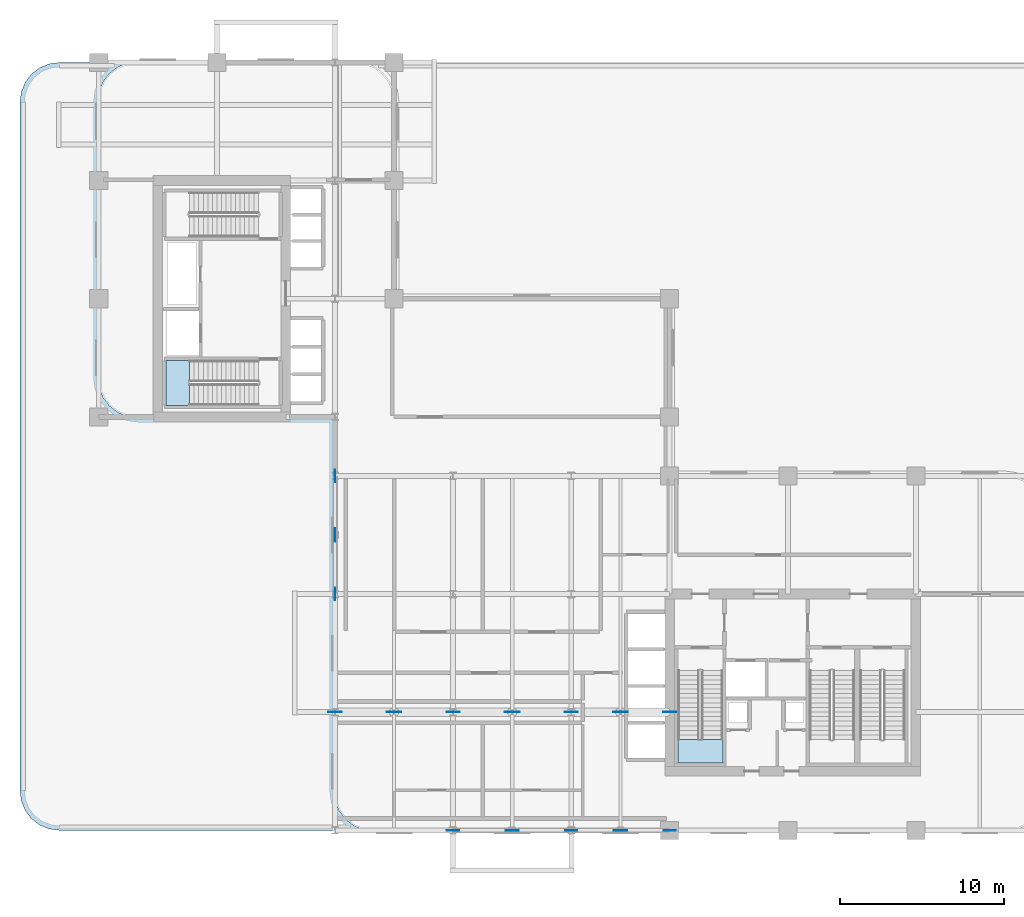
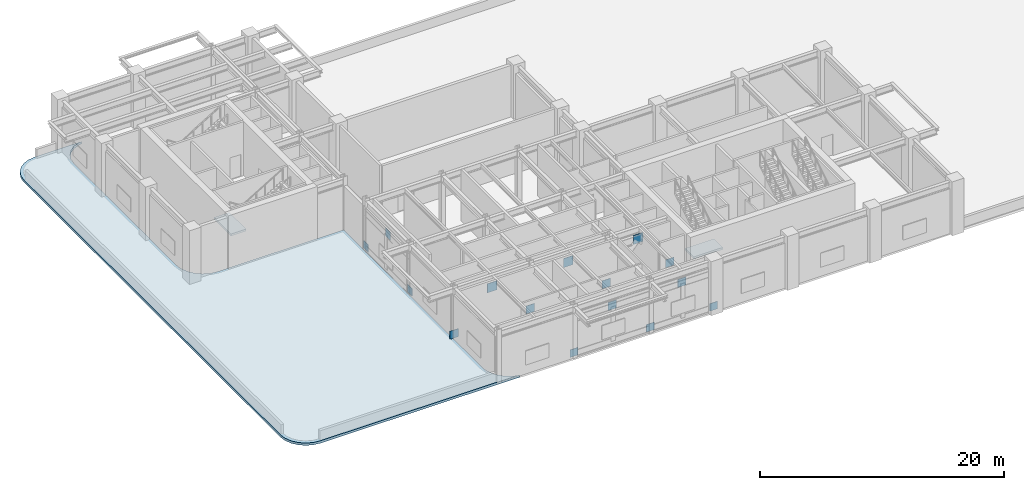
# One storey, part 4 of 14: 15 plates, 3 slabs, 2 elements without a shape of their own.
"""IFC4 building model written with IfcOpenShell, lengths in metres."""

from ifc_helpers import new_model, si_unit, derived_unit, direction, frame, origin, origin_2d, place, context, subcontext, project, spatial, polyline, rectangle, outline, extrude, source, transform, mapped, material, layer, layer_set, type_object, type_shapes, element, aggregate, save


model = new_model("IFC4")

# Units and contexts
model_context = context("Model", 3, precision=1e-05, world=origin(), true_north=direction((0.0, 1.0)))
body_context = subcontext(model_context, "Body", "Model", "MODEL_VIEW")
ifc_project = project(units=[si_unit("LENGTHUNIT", "METRE"), si_unit("AREAUNIT", "SQUARE_METRE"), si_unit("VOLUMEUNIT", "CUBIC_METRE"), si_unit("PLANEANGLEUNIT", "RADIAN"), si_unit("MASSUNIT", "GRAM", prefix="KILO"), si_unit("THERMODYNAMICTEMPERATUREUNIT", "KELVIN"), si_unit("POWERUNIT", "WATT"), derived_unit("THERMALTRANSMITTANCEUNIT", [(si_unit("POWERUNIT", "WATT"), 1), (si_unit("AREAUNIT", "SQUARE_METRE"), -1), (si_unit("THERMODYNAMICTEMPERATUREUNIT", "KELVIN"), -1)])], contexts=[model_context])

# Site, building, storey
site_placement = place(None, origin())
site = spatial("IfcSite", under=ifc_project, at=site_placement, CompositionType="ELEMENT")
building_placement = place(site_placement, origin())
building = spatial("IfcBuilding", under=site, at=building_placement, Name="Zahravan Archway Hotel and Residences", CompositionType="ELEMENT")
storey_placement = place(building_placement, frame((0.0, 0.0, 27.0)))
storey = spatial("IfcBuildingStorey", under=building, at=storey_placement, Name="L05", CompositionType="ELEMENT", Elevation=27.0)

# Stair, slab
ifc_material_1 = material(Name="Concrete C50/60", Category="concrete")
stair_type = type_object("IfcStairType", Name="STR-CORE-1300", PredefinedType="HALF_TURN_STAIR", material=ifc_material_1)
stair_1_placement = place(storey_placement, origin())
stair_1 = element("IfcStair", 1, at=stair_1_placement, inside=storey, type_object=stair_type, Name="L05 Core A Exit Stair 1", PredefinedType="HALF_TURN_STAIR")
ifc_layer_1 = layer(ifc_material_1, 0.199951171875, Name="Concrete C50/60", Category="concrete")
ifc_layer_set_1 = layer_set([ifc_layer_1], Name="Concrete C50/60")
slab_type_1 = type_object("IfcSlabType", Name="SLB-LND-200", PredefinedType="LANDING", material=ifc_layer_set_1)
slab_1_placement = place(storey_placement, frame((0.0, 0.0, 2.5)))
slab_1 = element("IfcSlab", 2, at=slab_1_placement, type_object=slab_type_1, Name="ST-A1 landing 1", PredefinedType="LANDING", context=body_context, shape_type="SweptSolid", body=[
    extrude(outline(polyline([(35.300048828125, 5.530029296875), (35.300048828125, 4.10009765625), (38.0400390625, 4.10009765625), (38.0400390625, 5.530029296875), (35.300048828125, 5.530029296875)])), origin(), (0.0, 0.0, 1.0), 0.199951171875),
])
aggregate(stair_1, [slab_1])

stair_2_placement = place(storey_placement, origin())
stair_2 = element("IfcStair", 3, at=stair_2_placement, inside=storey, type_object=stair_type, Name="L05 Core B Exit Stair 1", PredefinedType="HALF_TURN_STAIR")
slab_2_placement = place(storey_placement, frame((0.0, 0.0, 2.5)))
slab_2 = element("IfcSlab", 4, at=slab_2_placement, type_object=slab_type_1, Name="ST-B1 landing 1", PredefinedType="LANDING", context=body_context, shape_type="SweptSolid", body=[
    extrude(outline(polyline([(5.530029296875, 28.639892578125), (4.10009765625, 28.639892578125), (4.10009765625, 25.89990234375), (5.530029296875, 25.89990234375), (5.530029296875, 28.639892578125)])), origin(), (0.0, 0.0, 1.0), 0.199951171875),
])
aggregate(stair_2, [slab_2])

# Slab
ifc_material_2 = material(Name="Concrete C45/55", Category="concrete")
ifc_layer_2 = layer(ifc_material_2, 0.239990234375, Name="Concrete C45/55", Category="concrete")
ifc_layer_set_2 = layer_set([ifc_layer_2], Name="Concrete C45/55")
slab_type_2 = type_object("IfcSlabType", Name="SLB-ROOF-240", PredefinedType="ROOF", material=ifc_layer_set_2)
slab_3_placement = place(storey_placement, frame((0.0, 0.0, -0.239990234375)))
element("IfcSlab", 5, at=slab_3_placement, inside=storey, type_object=slab_type_2, Name="L05 Podium Roof Terrace Slab 2", PredefinedType="ROOF", context=body_context, shape_type="SweptSolid", body=[
    extrude(outline(polyline([(-2.39990234375, 0.0), (-3.021240234375, 0.081787109375), (-3.60009765625, 0.321533203125), (-4.09716796875, 0.702880859375), (-4.478515625, 1.199951171875), (-4.71826171875, 1.77880859375), (-4.800048828125, 2.39990234375), (-4.800048828125, 44.39990234375), (-4.71826171875, 45.021240234375), (-4.478515625, 45.60009765625), (-4.09716796875, 46.09716796875), (-3.60009765625, 46.478515625), (-3.021240234375, 46.71826171875), (-2.39990234375, 46.800048828125), (2.01708984375, 46.800048828125), (1.772216796875, 46.767822265625), (1.76806640625, 46.76708984375), (1.763916015625, 46.765869140625), (1.759765625, 46.764404296875), (1.180908203125, 46.524658203125), (1.177001953125, 46.52294921875), (1.173095703125, 46.520751953125), (1.169677734375, 46.518310546875), (0.672607421875, 46.13671875), (0.669189453125, 46.134033203125), (0.666015625, 46.130859375), (0.6630859375, 46.12744140625), (0.28173828125, 45.63037109375), (0.279296875, 45.626953125), (0.277099609375, 45.623046875), (0.275390625, 45.619140625), (0.03564453125, 45.040283203125), (0.0341796875, 45.0361328125), (0.032958984375, 45.031982421875), (0.0322265625, 45.027587890625), (-0.049560546875, 44.406494140625), (-0.050048828125, 44.39990234375), (-0.050048828125, 27.60009765625), (-0.049560546875, 27.593505859375), (0.0322265625, 26.972412109375), (0.032958984375, 26.968017578125), (0.0341796875, 26.9638671875), (0.03564453125, 26.959716796875), (0.275390625, 26.380859375), (0.277099609375, 26.376953125), (0.279296875, 26.373046875), (0.28173828125, 26.36962890625), (0.6630859375, 25.87255859375), (0.666015625, 25.869140625), (0.669189453125, 25.865966796875), (0.672607421875, 25.86328125), (1.169677734375, 25.481689453125), (1.173095703125, 25.479248046875), (1.177001953125, 25.47705078125), (1.180908203125, 25.475341796875), (1.759765625, 25.235595703125), (1.763916015625, 25.234130859375), (1.76806640625, 25.23291015625), (1.772216796875, 25.232177734375), (2.3935546875, 25.150390625), (2.39990234375, 25.14990234375), (14.35009765625, 25.14990234375), (14.35009765625, 2.39990234375), (14.350341796875, 2.3935546875), (14.43212890625, 1.772216796875), (14.43310546875, 1.76806640625), (14.43408203125, 1.763916015625), (14.435546875, 1.759765625), (14.67529296875, 1.180908203125), (14.677001953125, 1.177001953125), (14.67919921875, 1.173095703125), (14.681884765625, 1.169677734375), (15.063232421875, 0.672607421875), (15.06591796875, 0.669189453125), (15.069091796875, 0.666015625), (15.072509765625, 0.6630859375), (15.569580078125, 0.28173828125), (15.572998046875, 0.279296875), (15.576904296875, 0.277099609375), (15.580810546875, 0.275390625), (16.15966796875, 0.03564453125), (16.163818359375, 0.0341796875), (16.16796875, 0.032958984375), (16.17236328125, 0.0322265625), (16.4169921875, 0.0), (-2.39990234375, 0.0)])), origin(), (0.0, 0.0, 1.0), 0.239990234375),
])

# Plates
ifc_material_3 = material(Name="Structural Steel S355J2", Category="steel")
ifc_layer_3 = layer(ifc_material_3, 0.035888671875, Name="Structural Steel S355J2", Category="steel")
ifc_layer_set_3 = layer_set([ifc_layer_3], Name="Structural Steel S355J2")
plate_type_1 = type_object("IfcPlateType", Name="PLT-GUS-ON2", PredefinedType="USERDEFINED", material=ifc_layer_set_3)
shared_shape_1 = source(origin(), body_context, "Body", "SweptSolid", [
    extrude(rectangle(XDim=0.800048828125, YDim=0.035888671875, at=origin_2d()), origin(), (0.0, 0.0, 1.0), 0.800048828125),
])
type_shapes(plate_type_1, [shared_shape_1])
for number, where, z_axis, x_axis, name in (
    (6, (14.39990234375, 7.199951171875, 0.0498046875), (0.0, 0.0, 1.0), (1.0, 0.0, 0.0), "L05 Outrigger End Gusset Plate ON2-1-L"),
    (7, (21.60009765625, 7.199951171875, 0.0498046875), (0.0, 0.0, 1.0), (1.0, 0.0, 0.0), "L05 Outrigger End Gusset Plate ON2-1-R"),
    (8, (28.800048828125, 7.199951171875, 0.0498046875), (0.0, 0.0, 1.0), (1.0, 0.0, 0.0), "L05 Outrigger End Gusset Plate ON2-2-R"),
    (9, (34.800048828125, 7.199951171875, 0.0498046875), (0.0, 0.0, 1.0), (1.0, 0.0, 0.0), "L05 Outrigger End Gusset Plate ON2-3-R"),
):
    element("IfcPlate", number, at=place(storey_placement, frame(where, z_axis=z_axis, x_axis=x_axis)), inside=storey, type_object=plate_type_1, Name=name, ObjectType="GUSSET", PredefinedType="USERDEFINED", context=body_context, shape_type="MappedRepresentation", body=[
        mapped(shared_shape_1, transform((0.0, 0.0, 0.0), scale=1.0)),
    ])
ifc_layer_4 = layer(ifc_material_3, 0.035888671875, Name="Structural Steel S355J2", Category="steel")
ifc_layer_set_4 = layer_set([ifc_layer_4], Name="Structural Steel S355J2")
plate_type_2 = type_object("IfcPlateType", Name="PLT-GUS-ON1", PredefinedType="USERDEFINED", material=ifc_layer_set_4)
shared_shape_2 = source(origin(), body_context, "Body", "SweptSolid", [
    extrude(rectangle(XDim=0.89990234375, YDim=0.035888671875, at=origin_2d()), origin(), (0.0, 0.0, 1.0), 0.89990234375),
])
type_shapes(plate_type_2, [shared_shape_2])
for number, where, z_axis, x_axis, name in (
    (10, (18.0, 7.199951171875, 3.449951171875), (0.0, 0.0, 1.0), (1.0, 0.0, 0.0), "L05 Outrigger Apex Gusset Plate ON1-1"),
    (11, (25.199951171875, 7.199951171875, 3.449951171875), (0.0, 0.0, 1.0), (1.0, 0.0, 0.0), "L05 Outrigger Apex Gusset Plate ON1-2"),
    (12, (31.800048828125, 7.199951171875, 3.449951171875), (0.0, 0.0, 1.0), (1.0, 0.0, 0.0), "L05 Outrigger Apex Gusset Plate ON1-3"),
):
    element("IfcPlate", number, at=place(storey_placement, frame(where, z_axis=z_axis, x_axis=x_axis)), inside=storey, type_object=plate_type_2, Name=name, ObjectType="GUSSET", PredefinedType="USERDEFINED", context=body_context, shape_type="MappedRepresentation", body=[
        mapped(shared_shape_2, transform((0.0, 0.0, 0.0), scale=1.0)),
    ])
ifc_layer_5 = layer(ifc_material_3, 0.031982421875, Name="Structural Steel S355J2", Category="steel")
ifc_layer_set_5 = layer_set([ifc_layer_5], Name="Structural Steel S355J2")
plate_type_3 = type_object("IfcPlateType", Name="PLT-GUS-BN1", PredefinedType="USERDEFINED", material=ifc_layer_set_5)
shared_shape_3 = source(origin(), body_context, "Body", "SweptSolid", [
    extrude(rectangle(XDim=0.800048828125, YDim=0.031982421875, at=origin_2d()), origin(), (0.0, 0.0, 1.0), 0.800048828125),
])
type_shapes(plate_type_3, [shared_shape_3])
for number, where, z_axis, x_axis, name in (
    (13, (25.199951171875, 0.0, 3.5), (0.0, 0.0, 1.0), (1.0, 0.0, 0.0), "L05 Belt Truss Gusset Plate BN1-1"),
    (14, (31.800048828125, 0.0, 3.5), (0.0, 0.0, 1.0), (1.0, 0.0, 0.0), "L05 Belt Truss Gusset Plate BN1-2"),
    (15, (14.39990234375, 18.0, 3.5), (0.0, 0.0, 1.0), (0.0, 1.0, 0.0), "L05 Belt Truss Gusset Plate BN1-3"),
):
    element("IfcPlate", number, at=place(storey_placement, frame(where, z_axis=z_axis, x_axis=x_axis)), inside=storey, type_object=plate_type_3, Name=name, ObjectType="GUSSET", PredefinedType="USERDEFINED", context=body_context, shape_type="MappedRepresentation", body=[
        mapped(shared_shape_3, transform((0.0, 0.0, 0.0), scale=1.0)),
    ])
ifc_layer_6 = layer(ifc_material_3, 0.031982421875, Name="Structural Steel S355J2", Category="steel")
ifc_layer_set_6 = layer_set([ifc_layer_6], Name="Structural Steel S355J2")
plate_type_4 = type_object("IfcPlateType", Name="PLT-GUS-BN2", PredefinedType="USERDEFINED", material=ifc_layer_set_6)
shared_shape_4 = source(origin(), body_context, "Body", "SweptSolid", [
    extrude(rectangle(XDim=0.75, YDim=0.031982421875, at=origin_2d()), origin(), (0.0, 0.0, 1.0), 0.75),
])
type_shapes(plate_type_4, [shared_shape_4])
for number, where, z_axis, x_axis, name in (
    (16, (21.60009765625, 0.0, 0.074951171875), (0.0, 0.0, 1.0), (1.0, 0.0, 0.0), "L05 Belt Truss End Gusset Plate BN2-1-A"),
    (17, (28.800048828125, 0.0, 0.074951171875), (0.0, 0.0, 1.0), (1.0, 0.0, 0.0), "L05 Belt Truss End Gusset Plate BN2-1-B"),
    (18, (34.800048828125, 0.0, 0.074951171875), (0.0, 0.0, 1.0), (1.0, 0.0, 0.0), "L05 Belt Truss End Gusset Plate BN2-2-B"),
    (19, (14.39990234375, 14.39990234375, 0.074951171875), (0.0, 0.0, 1.0), (0.0, 1.0, 0.0), "L05 Belt Truss End Gusset Plate BN2-3-A"),
    (20, (14.39990234375, 21.60009765625, 0.074951171875), (0.0, 0.0, 1.0), (0.0, 1.0, 0.0), "L05 Belt Truss End Gusset Plate BN2-3-B"),
):
    element("IfcPlate", number, at=place(storey_placement, frame(where, z_axis=z_axis, x_axis=x_axis)), inside=storey, type_object=plate_type_4, Name=name, ObjectType="GUSSET", PredefinedType="USERDEFINED", context=body_context, shape_type="MappedRepresentation", body=[
        mapped(shared_shape_4, transform((0.0, 0.0, 0.0), scale=1.0)),
    ])

save(model, "model.ifc")
